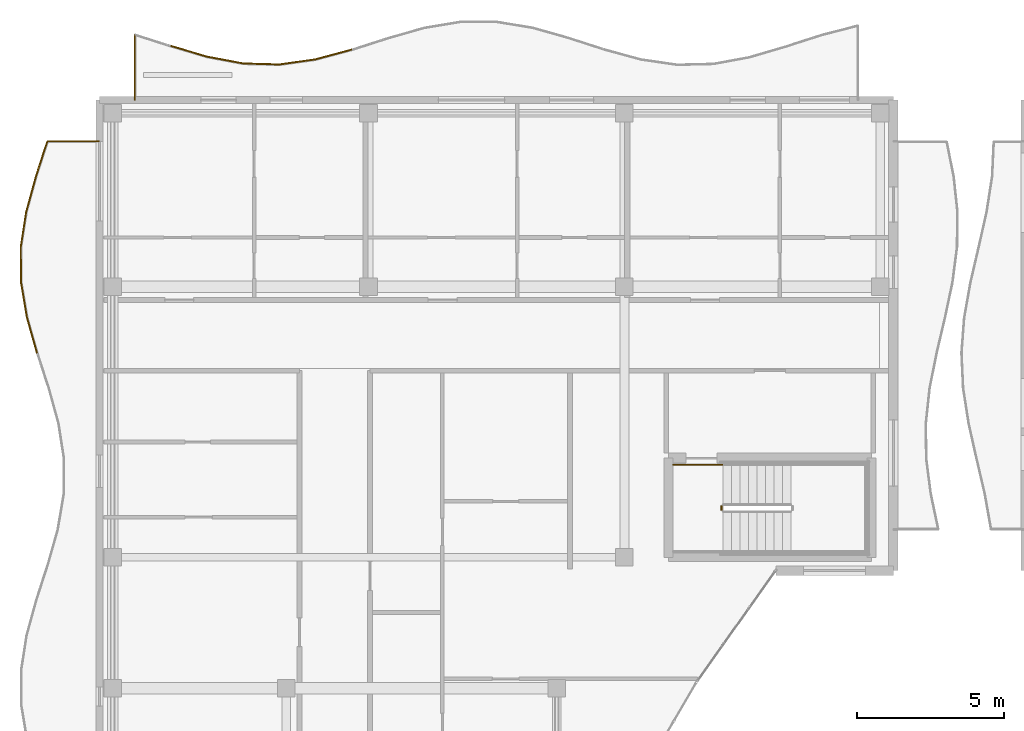
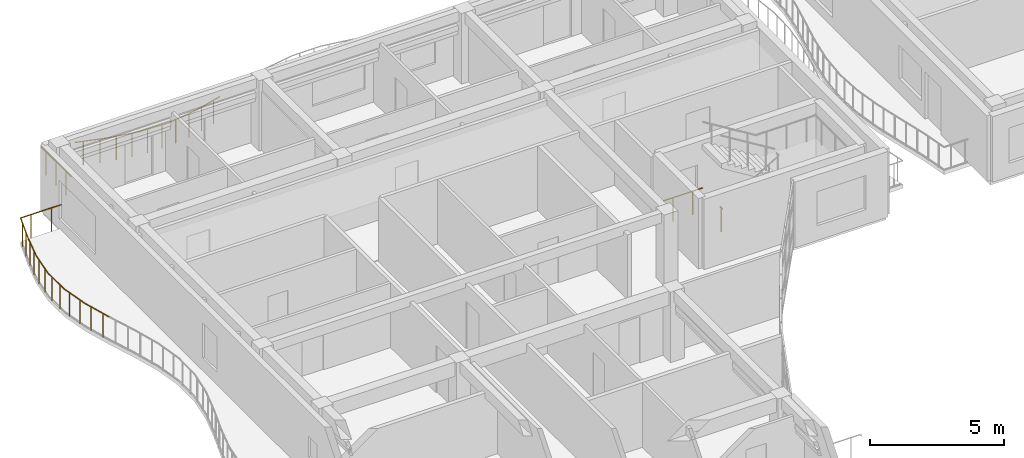
# One storey, part 54 of 72: 15 railings.
"""IFC4 building model written with IfcOpenShell, lengths in metres."""

import ifcopenshell
import ifcopenshell.guid

model = None  # the IFC model being written
_history = None  # IfcOwnerHistory: only IFC2X3 demands one
_inside = {}  # id of a spatial element -> (the spatial element, [elements in it])
_under = {}  # id of a project, library or spatial element -> (it, [spatial elements below it])
_declared = {}  # id of a project -> (the project, [libraries it declares])
_typed = {}  # id of a type object -> (the type object, [elements of that type])
_made_of = {}  # id of a material, layer set ... -> (it, [elements and type objects made of it])


def new_model(schema):
    """Start an empty IFC model of exactly this schema.

    Asked for "IFC4X3", IfcOpenShell would pick the latest addendum, in which some entities
    have other attributes; the version numbers below select the first issue.
    IFC2X3 requires an IfcOwnerHistory on every rooted entity: one is made here for all.
    """
    global model, _history
    if schema == "IFC4X3":
        model = ifcopenshell.file(schema_version=(4, 3, 0, 0))
    else:
        model = ifcopenshell.file(schema=schema)
    _inside.clear()
    _under.clear()
    _declared.clear()
    _typed.clear()
    _made_of.clear()
    _history = None
    if model.schema == "IFC2X3":
        org = make("IfcOrganization", Name="unknown")
        user = make(
            "IfcPersonAndOrganization",
            ThePerson=make("IfcPerson", FamilyName="unknown"),
            TheOrganization=org,
        )
        app = make(
            "IfcApplication",
            ApplicationDeveloper=org,
            Version="unknown",
            ApplicationFullName="unknown",
            ApplicationIdentifier="unknown",
        )
        _history = make(
            "IfcOwnerHistory",
            OwningUser=user,
            OwningApplication=app,
            ChangeAction="ADDED",
            CreationDate=0,
        )
    return model


def make(cls, **values):
    """One entity of the class cls with the attributes given. An attribute that is None is left unset."""
    return model.create_entity(
        cls, **{name: value for name, value in values.items() if value is not None}
    )


def rooted(cls, **values):
    """An entity with a GlobalId (a new one), such as an element, a storey or a relation."""
    return make(cls, GlobalId=ifcopenshell.guid.new(), OwnerHistory=_history, **values)


def si_unit(unit_type, name, prefix=None):
    """IfcSIUnit, for example si_unit("LENGTHUNIT", "METRE", prefix="MILLI")."""
    return make("IfcSIUnit", UnitType=unit_type, Prefix=prefix, Name=name)


def assignment(units):
    """IfcUnitAssignment: the units of a project."""
    return None if units is None else make("IfcUnitAssignment", Units=units)


def point(xyz):
    """IfcCartesianPoint."""
    return None if xyz is None else make("IfcCartesianPoint", Coordinates=xyz)


def direction(xyz):
    """IfcDirection."""
    return None if xyz is None else make("IfcDirection", DirectionRatios=xyz)


def frame(location, z_axis=None, x_axis=None):
    """IfcAxis2Placement3D, a coordinate frame: its origin and axes. An axis left out is left unset."""
    return make(
        "IfcAxis2Placement3D",
        Location=point(location),
        Axis=direction(z_axis),
        RefDirection=direction(x_axis),
    )


def frame_2d(location, x_axis=None):
    """IfcAxis2Placement2D, a coordinate frame in the plane: its origin and x axis."""
    return make(
        "IfcAxis2Placement2D", Location=point(location), RefDirection=direction(x_axis)
    )


def origin():
    """The frame at (0, 0, 0) with its axes left unset."""
    return frame((0.0, 0.0, 0.0))


def origin_2d():
    """The frame at (0, 0) in the plane with its x axis left unset."""
    return frame_2d((0.0, 0.0))


def place(relative_to, where):
    """IfcLocalPlacement: puts the frame where relative to a parent placement (None: the world)."""
    return make(
        "IfcLocalPlacement", PlacementRelTo=relative_to, RelativePlacement=where
    )


def context(
    kind, dimensions, precision=None, world=None, true_north=None, identifier=None
):
    """IfcGeometricRepresentationContext, for example the 3D "Model" context."""
    return make(
        "IfcGeometricRepresentationContext",
        ContextIdentifier=identifier,
        ContextType=kind,
        CoordinateSpaceDimension=dimensions,
        Precision=precision,
        WorldCoordinateSystem=world,
        TrueNorth=true_north,
    )


def subcontext(parent, identifier, kind, view, scale=None):
    """IfcGeometricRepresentationSubContext, for example "Body" below "Model"."""
    return make(
        "IfcGeometricRepresentationSubContext",
        ContextIdentifier=identifier,
        ContextType=kind,
        ParentContext=parent,
        TargetScale=scale,
        TargetView=view,
    )


def project(units=None, contexts=None):
    """IfcProject with its units and contexts."""
    return rooted(
        "IfcProject",
        Name="project",
        RepresentationContexts=contexts,
        UnitsInContext=assignment(units),
    )


def spatial(cls, under=None, at=None, **own):
    """A site, building, storey or space (cls), placed at a placement, below another one or the project."""
    s = rooted(cls, ObjectPlacement=at, **own)
    if under is not None:
        _under.setdefault(under.id(), (under, []))[1].append(s)
    return s


def profile(cls, at=None, kind="AREA", **sizes):
    """A parametric profile (cls). Its sizes go by their IFC names, for example OverallWidth=200.0."""
    return make(cls, ProfileType=kind, Position=at, **sizes)


def circle(**sizes):
    """IfcCircleProfileDef."""
    return profile("IfcCircleProfileDef", **sizes)


def extrude(swept, where, along, depth):
    """IfcExtrudedAreaSolid: the profile swept, set in the frame where, extruded along a direction by depth."""
    return make(
        "IfcExtrudedAreaSolid",
        SweptArea=swept,
        Position=where,
        ExtrudedDirection=direction(along),
        Depth=depth,
    )


def shape(context_of_items, identifier, shape_type, items):
    """IfcShapeRepresentation: the items that make up one representation, for example the "Body"."""
    return make(
        "IfcShapeRepresentation",
        ContextOfItems=context_of_items,
        RepresentationIdentifier=identifier,
        RepresentationType=shape_type,
        Items=items,
    )


def material(Name=None, Category=None):
    """IfcMaterial."""
    return make("IfcMaterial", Name=Name, Category=Category)


def made_of(thing, what):
    """Note that an element or type object is made of a material, layer set ...; save() writes the relation."""
    if what is not None:
        _made_of.setdefault(what.id(), (what, []))[1].append(thing)
    return thing


def type_object(cls, material=None, **own):
    """A type object (cls), such as IfcWallType, which elements share."""
    return made_of(rooted(cls, **own), material)


def element(
    cls,
    number,
    at=None,
    inside=None,
    cuts=None,
    type_object=None,
    material=None,
    context=None,
    identifier="Body",
    shape_type=None,
    held_by="IfcProductDefinitionShape",
    body=None,
    shapes=None,
    **own,
):
    """One element of the class cls, such as IfcWall. Its Tag is "e" and its number.

    at: its placement. inside: the storey or other place that contains it. cuts: it is an
    opening in that element (IfcRelVoidsElement). A single representation is given by context,
    identifier, shape_type and body (its items); several are given by shapes. held_by: the class
    of the entity that holds the representations. save() writes the other relations.
    """
    e = rooted(cls, Tag="e%d" % number, ObjectPlacement=at, **own)
    if body is not None:
        shapes = [shape(context, identifier, shape_type, body)]
    if shapes is not None:
        e.Representation = make(held_by, Representations=shapes)
    if inside is not None:
        _inside.setdefault(inside.id(), (inside, []))[1].append(e)
    if cuts is not None:
        rooted(
            "IfcRelVoidsElement", RelatingBuildingElement=cuts, RelatedOpeningElement=e
        )
    if type_object is not None:
        _typed.setdefault(type_object.id(), (type_object, []))[1].append(e)
    return made_of(e, material)


def aggregate(whole, parts):
    """IfcRelAggregates: a whole, such as a stair, and the parts it consists of."""
    return rooted("IfcRelAggregates", RelatingObject=whole, RelatedObjects=parts)


def save(model, path):
    """Write the relations noted so far, then the file.

    IfcRelAggregates (storeys below a building ...), IfcRelContainedInSpatialStructure (elements
    in a storey), IfcRelDefinesByType, IfcRelAssociatesMaterial and IfcRelDeclares: one each for
    every whole, place, type object, material and project.
    """
    for whole, parts in _under.values():
        aggregate(whole, parts)
    for where, things in _inside.values():
        rooted(
            "IfcRelContainedInSpatialStructure",
            RelatedElements=things,
            RelatingStructure=where,
        )
    for kind, things in _typed.values():
        rooted("IfcRelDefinesByType", RelatedObjects=things, RelatingType=kind)
    for what, things in _made_of.values():
        rooted("IfcRelAssociatesMaterial", RelatedObjects=things, RelatingMaterial=what)
    for by, libraries in _declared.values():
        rooted("IfcRelDeclares", RelatingContext=by, RelatedDefinitions=libraries)
    model.write(path)


model = new_model("IFC4")

# Units and contexts
model_context = context("Model", 3, precision=1e-05, world=origin(), true_north=direction((0.0, 1.0)))
body_context = subcontext(model_context, "Body", "Model", "MODEL_VIEW")
ifc_project = project(units=[si_unit("LENGTHUNIT", "METRE"), si_unit("AREAUNIT", "SQUARE_METRE"), si_unit("VOLUMEUNIT", "CUBIC_METRE"), si_unit("PLANEANGLEUNIT", "RADIAN"), si_unit("MASSUNIT", "GRAM", prefix="KILO")], contexts=[model_context])

# Site, building, storey
site_placement = place(None, origin())
site = spatial("IfcSite", under=ifc_project, at=site_placement, CompositionType="ELEMENT")
building_placement = place(site_placement, origin())
building = spatial("IfcBuilding", under=site, at=building_placement, Name="Keldmere Railside Commons", CompositionType="ELEMENT")
storey_placement = place(building_placement, frame((0.0, 0.0, 16.9599609375)))
storey = spatial("IfcBuildingStorey", under=building, at=storey_placement, Name="L05", CompositionType="ELEMENT", Elevation=16.9599609375)

# Railings
ifc_material = material(Name="Steel F-24 (S235)", Category="steel")
railing_type_1 = type_object("IfcRailingType", Name="Balcony & Terrace Steel Balustrade 1100", PredefinedType="BALUSTRADE", material=ifc_material)
railing_1_placement = place(storey_placement, frame((9.199951171875, 116.0, 0.0)))
element("IfcRailing", 1, at=railing_1_placement, inside=storey, type_object=railing_type_1, Name="GR-1 GRD-L05-0503", PredefinedType="BALUSTRADE", context=body_context, shape_type="SweptSolid", body=[
    extrude(circle(Radius=0.02392578125, at=origin_2d()), frame((0.0, 0.0, 1.076171875), z_axis=(0.0, 1.0, 0.0), x_axis=(-1.0, 0.0, 0.0)), (0.0, 0.0, 1.0), 2.236083984375),
    extrude(circle(Radius=0.02099609375, at=origin_2d()), frame((0.0, 0.37255859375, 0.0)), (0.0, 0.0, 1.0), 1.048095703125),
    extrude(circle(Radius=0.02099609375, at=origin_2d()), frame((0.0, 1.1181640625, 0.0)), (0.0, 0.0, 1.0), 1.048095703125),
    extrude(circle(Radius=0.02099609375, at=origin_2d()), frame((0.0, 1.86328125, 0.0)), (0.0, 0.0, 1.0), 1.048095703125),
])
railing_2_placement = place(storey_placement, frame((10.429931640625, 117.841552734375, 0.0)))
element("IfcRailing", 2, at=railing_2_placement, inside=storey, type_object=railing_type_1, Name="GR-1 GRD-L05-0505", PredefinedType="BALUSTRADE", context=body_context, shape_type="SweptSolid", body=[
    extrude(circle(Radius=0.02392578125, at=origin_2d()), frame((0.0, 0.0, 1.076171875), z_axis=(0.958836504123, -0.283958726509, 0.0), x_axis=(0.283958726509, 0.958836504123, 0.0)), (0.0, 0.0, 1.0), 1.28271484375),
    extrude(circle(Radius=0.02099609375, at=origin_2d()), frame((0.3076171875, -0.091064453125, 0.0)), (0.0, 0.0, 1.0), 1.048095703125),
    extrude(circle(Radius=0.02099609375, at=origin_2d()), frame((0.92236328125, -0.273193359375, 0.0)), (0.0, 0.0, 1.0), 1.048095703125),
])
railing_3_placement = place(storey_placement, frame((11.659912109375, 117.477294921875, 0.0)))
element("IfcRailing", 3, at=railing_3_placement, inside=storey, type_object=railing_type_1, Name="GR-1 GRD-L05-0506", PredefinedType="BALUSTRADE", context=body_context, shape_type="SweptSolid", body=[
    extrude(circle(Radius=0.02392578125, at=origin_2d()), frame((0.0, 0.0, 1.076171875), z_axis=(0.982788165947, -0.184736084389, 0.0), x_axis=(0.184736084389, 0.982788165947, 0.0)), (0.0, 0.0, 1.0), 1.25146484375),
    extrude(circle(Radius=0.02099609375, at=origin_2d()), frame((0.3076171875, -0.057861328125, 0.0)), (0.0, 0.0, 1.0), 1.048095703125),
    extrude(circle(Radius=0.02099609375, at=origin_2d()), frame((0.92236328125, -0.17333984375, 0.0)), (0.0, 0.0, 1.0), 1.048095703125),
])
railing_4_placement = place(storey_placement, frame((12.889892578125, 117.24609375, 0.0)))
element("IfcRailing", 4, at=railing_4_placement, inside=storey, type_object=railing_type_1, Name="GR-1 GRD-L05-0507", PredefinedType="BALUSTRADE", context=body_context, shape_type="SweptSolid", body=[
    extrude(circle(Radius=0.02392578125, at=origin_2d()), frame((0.0, 0.0, 1.076171875), z_axis=(0.99963061289, -0.027177891242, 0.0), x_axis=(0.027177891242, 0.99963061289, 0.0)), (0.0, 0.0, 1.0), 1.230712890625),
    extrude(circle(Radius=0.02099609375, at=origin_2d()), frame((0.3076171875, -0.00830078125, 0.0)), (0.0, 0.0, 1.0), 1.048095703125),
    extrude(circle(Radius=0.02099609375, at=origin_2d()), frame((0.922607421875, -0.025146484375, 0.0)), (0.0, 0.0, 1.0), 1.048095703125),
])
railing_5_placement = place(storey_placement, frame((14.1201171875, 117.212646484375, 0.0)))
element("IfcRailing", 5, at=railing_5_placement, inside=storey, type_object=railing_type_1, Name="GR-1 GRD-L05-0508", PredefinedType="BALUSTRADE", context=body_context, shape_type="SweptSolid", body=[
    extrude(circle(Radius=0.02392578125, at=origin_2d()), frame((0.0, 0.0, 1.076171875), z_axis=(0.99013339005, 0.140128048254, 0.0), x_axis=(-0.140128048254, 0.99013339005, 0.0)), (0.0, 0.0, 1.0), 1.2421875),
    extrude(circle(Radius=0.02099609375, at=origin_2d()), frame((0.3076171875, 0.04345703125, 0.0)), (0.0, 0.0, 1.0), 1.048095703125),
    extrude(circle(Radius=0.02099609375, at=origin_2d()), frame((0.92236328125, 0.130615234375, 0.0)), (0.0, 0.0, 1.0), 1.048095703125),
])
railing_6_placement = place(storey_placement, frame((15.35009765625, 117.38671875, 0.0)))
element("IfcRailing", 6, at=railing_6_placement, inside=storey, type_object=railing_type_1, Name="GR-1 GRD-L05-0509", PredefinedType="BALUSTRADE", context=body_context, shape_type="SweptSolid", body=[
    extrude(circle(Radius=0.02392578125, at=origin_2d()), frame((0.0, 0.0, 1.076171875), z_axis=(0.965393388783, 0.260798015509, 0.0), x_axis=(-0.260798015509, 0.965393388783, 0.0)), (0.0, 0.0, 1.0), 1.274169921875),
    extrude(circle(Radius=0.02099609375, at=origin_2d()), frame((0.3076171875, 0.0830078125, 0.0)), (0.0, 0.0, 1.0), 1.048095703125),
    extrude(circle(Radius=0.02099609375, at=origin_2d()), frame((0.92236328125, 0.249267578125, 0.0)), (0.0, 0.0, 1.0), 1.048095703125),
])
railing_7_placement = place(storey_placement, frame((5.87353515625, 107.39990234375, 0.0)))
element("IfcRailing", 7, at=railing_7_placement, inside=storey, type_object=railing_type_1, Name="GR-1 GRD-L05-0589", PredefinedType="BALUSTRADE", context=body_context, shape_type="SweptSolid", body=[
    extrude(circle(Radius=0.02392578125, at=origin_2d()), frame((0.0, 0.0, 1.076171875), z_axis=(-0.273170094317, 0.961965747608, 0.0), x_axis=(-0.961965747608, -0.273170094317, 0.0)), (0.0, 0.0, 1.0), 1.24755859375),
    extrude(circle(Radius=0.02099609375, at=origin_2d()), frame((-0.085205078125, 0.300048828125, 0.0)), (0.0, 0.0, 1.0), 1.048095703125),
    extrude(circle(Radius=0.02099609375, at=origin_2d()), frame((-0.255615234375, 0.900146484375, 0.0)), (0.0, 0.0, 1.0), 1.048095703125),
])
railing_8_placement = place(storey_placement, frame((5.53271484375, 108.60009765625, 0.0)))
element("IfcRailing", 8, at=railing_8_placement, inside=storey, type_object=railing_type_1, Name="GR-1 GRD-L05-0590", PredefinedType="BALUSTRADE", context=body_context, shape_type="SweptSolid", body=[
    extrude(circle(Radius=0.02392578125, at=origin_2d()), frame((0.0, 0.0, 1.076171875), z_axis=(-0.166123084614, 0.986105025217, 0.0), x_axis=(-0.986105025217, -0.166123084614, 0.0)), (0.0, 0.0, 1.0), 1.216796875),
    extrude(circle(Radius=0.02099609375, at=origin_2d()), frame((-0.050537109375, 0.300048828125, 0.0)), (0.0, 0.0, 1.0), 1.048095703125),
    extrude(circle(Radius=0.02099609375, at=origin_2d()), frame((-0.151611328125, 0.89990234375, 0.0)), (0.0, 0.0, 1.0), 1.048095703125),
])
railing_9_placement = place(storey_placement, frame((5.33056640625, 109.800048828125, 0.0)))
element("IfcRailing", 9, at=railing_9_placement, inside=storey, type_object=railing_type_1, Name="GR-1 GRD-L05-0591", PredefinedType="BALUSTRADE", context=body_context, shape_type="SweptSolid", body=[
    extrude(circle(Radius=0.02392578125, at=origin_2d()), frame((0.0, 0.0, 1.076171875), z_axis=(-0.007934643395, 0.999968520222, 0.0), x_axis=(-0.999968520222, -0.007934643395, 0.0)), (0.0, 0.0, 1.0), 1.199951171875),
    extrude(circle(Radius=0.02099609375, at=origin_2d()), frame((-0.00244140625, 0.300048828125, 0.0)), (0.0, 0.0, 1.0), 1.048095703125),
    extrude(circle(Radius=0.02099609375, at=origin_2d()), frame((-0.007080078125, 0.89990234375, 0.0)), (0.0, 0.0, 1.0), 1.048095703125),
])
railing_10_placement = place(storey_placement, frame((5.321044921875, 111.0, 0.0)))
element("IfcRailing", 10, at=railing_10_placement, inside=storey, type_object=railing_type_1, Name="GR-1 GRD-L05-0592", PredefinedType="BALUSTRADE", context=body_context, shape_type="SweptSolid", body=[
    extrude(circle(Radius=0.02392578125, at=origin_2d()), frame((0.0, 0.0, 1.076171875), z_axis=(0.153205313782, 0.988194379578, 0.0), x_axis=(-0.988194379578, 0.153205313782, 0.0)), (0.0, 0.0, 1.0), 1.21435546875),
    extrude(circle(Radius=0.02099609375, at=origin_2d()), frame((0.04638671875, 0.300048828125, 0.0)), (0.0, 0.0, 1.0), 1.048095703125),
    extrude(circle(Radius=0.02099609375, at=origin_2d()), frame((0.1396484375, 0.89990234375, 0.0)), (0.0, 0.0, 1.0), 1.048095703125),
])
railing_11_placement = place(storey_placement, frame((5.507080078125, 112.199951171875, 0.0)))
element("IfcRailing", 11, at=railing_11_placement, inside=storey, type_object=railing_type_1, Name="GR-1 GRD-L05-0593", PredefinedType="BALUSTRADE", context=body_context, shape_type="SweptSolid", body=[
    extrude(circle(Radius=0.02392578125, at=origin_2d()), frame((0.0, 0.0, 1.076171875), z_axis=(0.266136381947, 0.96393538487, 0.0), x_axis=(-0.96393538487, 0.266136381947, 0.0)), (0.0, 0.0, 1.0), 1.244873046875),
    extrude(circle(Radius=0.02099609375, at=origin_2d()), frame((0.082763671875, 0.300048828125, 0.0)), (0.0, 0.0, 1.0), 1.048095703125),
    extrude(circle(Radius=0.02099609375, at=origin_2d()), frame((0.24853515625, 0.89990234375, 0.0)), (0.0, 0.0, 1.0), 1.048095703125),
])
railing_12_placement = place(storey_placement, frame((5.83837890625, 113.39990234375, 0.0)))
element("IfcRailing", 12, at=railing_12_placement, inside=storey, type_object=railing_type_1, Name="GR-1 GRD-L05-0594", PredefinedType="BALUSTRADE", context=body_context, shape_type="SweptSolid", body=[
    extrude(circle(Radius=0.02392578125, at=origin_2d()), frame((0.0, 0.0, 1.076171875), z_axis=(0.307737834048, 0.95147119005, 0.0), x_axis=(-0.95147119005, 0.307737834048, 0.0)), (0.0, 0.0, 1.0), 1.261474609375),
    extrude(circle(Radius=0.02099609375, at=origin_2d()), frame((0.09716796875, 0.300048828125, 0.0)), (0.0, 0.0, 1.0), 1.048095703125),
    extrude(circle(Radius=0.02099609375, at=origin_2d()), frame((0.291015625, 0.900146484375, 0.0)), (0.0, 0.0, 1.0), 1.048095703125),
])
railing_13_placement = place(storey_placement, frame((6.2265625, 114.60009765625, 0.0)))
element("IfcRailing", 13, at=railing_13_placement, inside=storey, type_object=railing_type_1, Name="GR-1 GRD-L05-0595", PredefinedType="BALUSTRADE", context=body_context, shape_type="SweptSolid", body=[
    extrude(circle(Radius=0.02392578125, at=origin_2d()), frame((0.0, 0.0, 1.076171875), z_axis=(1.0, 0.0, 0.0), x_axis=(0.0, 1.0, 0.0)), (0.0, 0.0, 1.0), 1.7734375),
    extrude(circle(Radius=0.02099609375, at=origin_2d()), frame((0.443359375, 0.0, 0.0)), (0.0, 0.0, 1.0), 1.048095703125),
    extrude(circle(Radius=0.02099609375, at=origin_2d()), frame((1.330078125, 0.0, 0.0)), (0.0, 0.0, 1.0), 1.048095703125),
])
railing_type_2 = type_object("IfcRailingType", Name="Stair Well Steel Guardrail 1100", PredefinedType="BALUSTRADE", material=ifc_material)
railing_14_placement = place(storey_placement, frame((29.14990234375, 102.050048828125, 0.0)))
element("IfcRailing", 14, at=railing_14_placement, inside=storey, type_object=railing_type_2, Name="L05 ST-D2 stair guard 7", PredefinedType="BALUSTRADE", context=body_context, shape_type="SweptSolid", body=[
    extrude(circle(Radius=0.02392578125, at=origin_2d()), frame((0.0, 0.0, 1.076171875), z_axis=(0.0, 1.0, 0.0), x_axis=(-1.0, 0.0, 0.0)), (0.0, 0.0, 1.0), 0.14990234375),
    extrude(circle(Radius=0.02099609375, at=origin_2d()), frame((0.0, 0.074951171875, 0.0)), (0.0, 0.0, 1.0), 1.048095703125),
])
railing_15_placement = place(storey_placement, frame((27.5, 103.60009765625, 0.0)))
element("IfcRailing", 15, at=railing_15_placement, inside=storey, type_object=railing_type_2, Name="L05 ST-D2 stair guard 9", PredefinedType="BALUSTRADE", context=body_context, shape_type="SweptSolid", body=[
    extrude(circle(Radius=0.02392578125, at=origin_2d()), frame((0.0, 0.0, 1.076171875), z_axis=(1.0, 0.0, 0.0), x_axis=(0.0, 1.0, 0.0)), (0.0, 0.0, 1.0), 1.699951171875),
    extrude(circle(Radius=0.02099609375, at=origin_2d()), frame((0.425048828125, 0.0, 0.0)), (0.0, 0.0, 1.0), 1.048095703125),
    extrude(circle(Radius=0.02099609375, at=origin_2d()), frame((1.27490234375, 0.0, 0.0)), (0.0, 0.0, 1.0), 1.048095703125),
])

save(model, "model.ifc")
